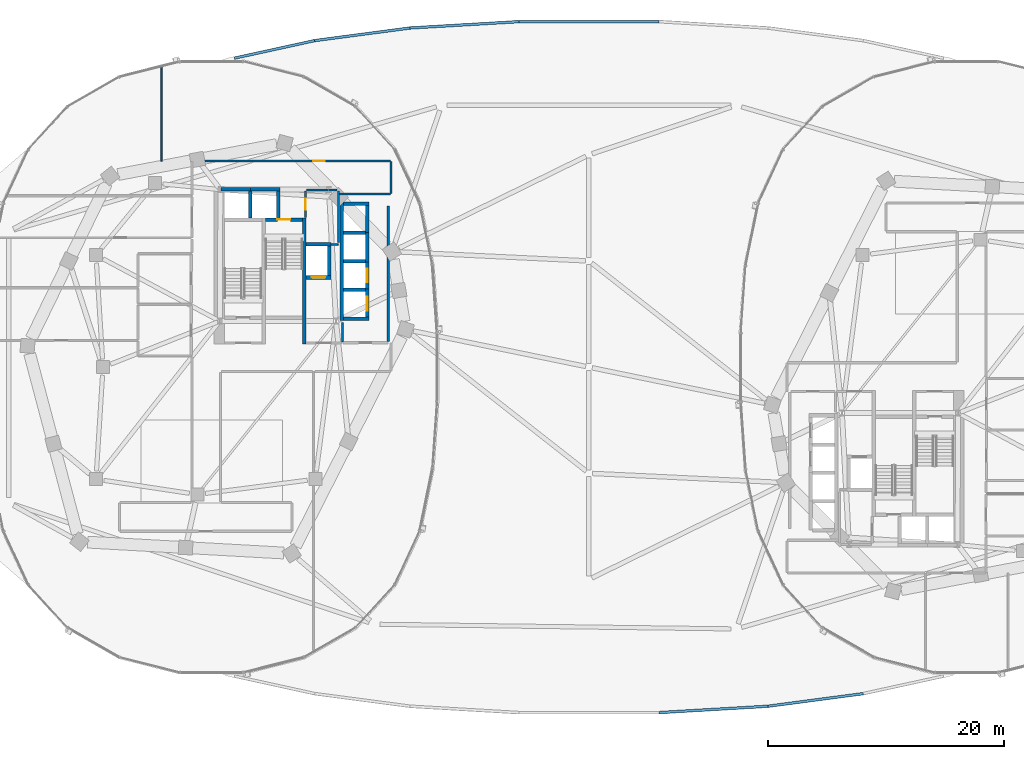
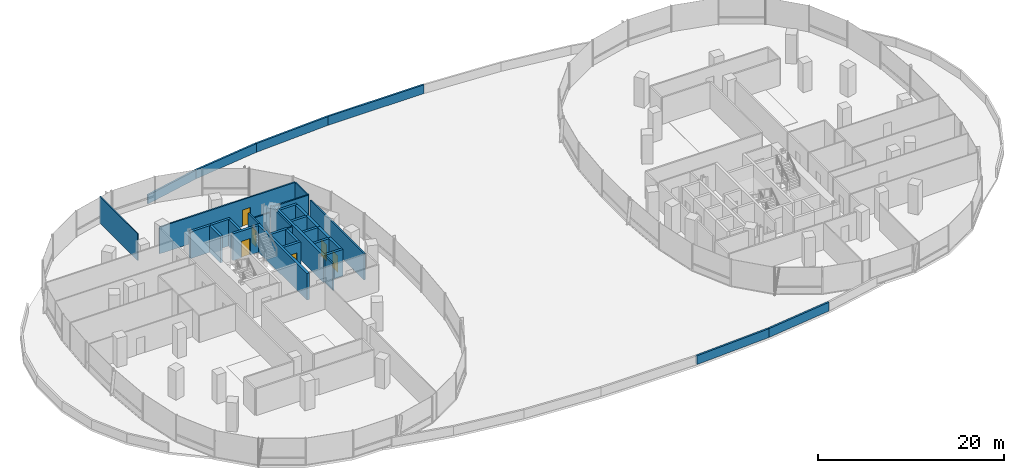
# One storey, part 19 of 28: 35 walls, 6 doors, 6 openings.
"""IFC4 building model written with IfcOpenShell, lengths in metres."""

from ifc_helpers import new_model, si_unit, direction, frame, frame_2d, origin, place, context, subcontext, project, spatial, rectangle, extrude, material, layer, layer_set, type_object, element, fill, save


model = new_model("IFC4")

# Units and contexts
model_context = context("Model", 3, precision=1e-05, world=origin(), true_north=direction((0.0, 1.0)))
body_context = subcontext(model_context, "Body", "Model", "MODEL_VIEW")
ifc_project = project(units=[si_unit("LENGTHUNIT", "METRE"), si_unit("AREAUNIT", "SQUARE_METRE"), si_unit("VOLUMEUNIT", "CUBIC_METRE"), si_unit("PLANEANGLEUNIT", "RADIAN"), si_unit("MASSUNIT", "GRAM", prefix="KILO"), si_unit("THERMODYNAMICTEMPERATUREUNIT", "KELVIN"), si_unit("POWERUNIT", "WATT")], contexts=[model_context])

# Site, building, storey
site_placement = place(None, origin())
site = spatial("IfcSite", under=ifc_project, at=site_placement, CompositionType="ELEMENT")
building_placement = place(site_placement, origin())
building = spatial("IfcBuilding", under=site, at=building_placement, Name="Cundina Bronze Exchange", CompositionType="ELEMENT")
storey_placement = place(building_placement, frame((0.0, 0.0, 24.0)))
storey = spatial("IfcBuildingStorey", under=building, at=storey_placement, Name="L05", CompositionType="ELEMENT", Elevation=24.0)

# Walls
ifc_material_1 = material(Name="Gypsum Fireboard Partition EI120")
ifc_layer_1 = layer(ifc_material_1, 0.179931640625, Name="Gypsum Fireboard Partition EI120")
ifc_layer_set_1 = layer_set([ifc_layer_1], Name="Gypsum Fireboard Partition EI120")
wall_type_1 = type_object("IfcWallType", Name="WL-COR-180", PredefinedType="PARTITIONING", material=ifc_layer_set_1)
wall_1_placement = place(storey_placement, frame((-20.889892578125, 2.14990234375, 0.0), z_axis=(0.0, 0.0, 1.0), x_axis=(0.0, 1.0, 0.0)))
element("IfcWall", 1, at=wall_1_placement, inside=storey, type_object=wall_type_1, Name="L05 W Firefighting Lobby Side Wall", PredefinedType="PARTITIONING", context=body_context, shape_type="SweptSolid", body=[
    extrude(rectangle(XDim=1.650146484375, YDim=0.179931640625, at=frame_2d((0.8251953125, 0.0))), origin(), (0.0, 0.0, 1.0), 3.5),
])
wall_2_placement = place(storey_placement, frame((-17.02001953125, 2.169921875, 0.0), z_axis=(0.0, 0.0, 1.0), x_axis=(0.0, 1.0, 0.0)))
element("IfcWall", 2, at=wall_2_placement, inside=storey, type_object=wall_type_1, Name="L05 Interior Partition 001", PredefinedType="PARTITIONING", context=body_context, shape_type="SweptSolid", body=[
    extrude(rectangle(XDim=11.510009765625, YDim=0.179931640625, at=frame_2d((5.7548828125, 0.0))), origin(), (0.0, 0.0, 1.0), 3.5),
])
wall_3_placement = place(storey_placement, frame((-21.25, 10.570068359375, 0.0), z_axis=(0.0, 0.0, 1.0), x_axis=(0.0, 1.0, 0.0)))
element("IfcWall", 3, at=wall_3_placement, inside=storey, type_object=wall_type_1, Name="L05 Interior Partition 004", PredefinedType="PARTITIONING", context=body_context, shape_type="SweptSolid", body=[
    extrude(rectangle(XDim=4.35986328125, YDim=0.179931640625, at=frame_2d((2.179931640625, 0.0))), origin(), (0.0, 0.0, 1.0), 3.5),
])
wall_4_placement = place(storey_placement, frame((-23.9599609375, 15.030029296875, 0.0), z_axis=(0.0, 0.0, 1.0), x_axis=(1.0, 0.0, 0.0)))
element("IfcWall", 4, at=wall_4_placement, inside=storey, type_object=wall_type_1, Name="L05 Interior Partition 005", PredefinedType="PARTITIONING", context=body_context, shape_type="SweptSolid", body=[
    extrude(rectangle(XDim=2.60986328125, YDim=0.179931640625, at=frame_2d((1.304931640625, 0.0))), origin(), (0.0, 0.0, 1.0), 2.572998046875),
])

# Wall, opening, door
wall_5_placement = place(storey_placement, frame((-24.02001953125, 12.669921875, 0.0), z_axis=(0.0, 0.0, 1.0), x_axis=(0.0, 1.0, 0.0)))
wall_5 = element("IfcWall", 5, at=wall_5_placement, inside=storey, type_object=wall_type_1, Name="L05 Interior Partition 006", PredefinedType="PARTITIONING", context=body_context, shape_type="SweptSolid", body=[
    extrude(rectangle(XDim=2.260009765625, YDim=0.179931640625, at=frame_2d((1.1298828125, 0.0))), origin(), (0.0, 0.0, 1.0), 3.5),
])
opening_1_placement = place(wall_5_placement, frame((0.655029296875, 0.0, 0.0)))
opening_1 = element("IfcOpeningElement", 6, at=opening_1_placement, cuts=wall_5, Name="Opening DW-01", PredefinedType="OPENING", context=body_context, shape_type="SweptSolid", body=[
    extrude(rectangle(XDim=0.949951171875, YDim=2.10009765625, at=frame_2d((0.47509765625, 1.050048828125))), frame((0.0, 0.099853515625, 0.0), z_axis=(0.0, -1.0, 0.0), x_axis=(1.0, 0.0, 0.0)), (0.0, 0.0, 1.0), 0.199951171875),
])
ifc_material_2 = material(Name="Solid Andean Oak Timber Grade A", Category="wood")
door_type_1 = type_object("IfcDoorType", Name="DR-WC-950", OperationType="NOTDEFINED", PredefinedType="DOOR", material=ifc_material_2)
door_1_placement = place(opening_1_placement, origin())
door_1 = element("IfcDoor", 7, at=door_1_placement, inside=storey, type_object=door_type_1, Name="L05 Interior Door 006", OperationType="SINGLE_SWING_LEFT", OverallHeight=2.10009765625, OverallWidth=0.949951171875, PredefinedType="DOOR", context=body_context, shape_type="SweptSolid", body=[
    extrude(rectangle(XDim=0.949951171875, YDim=2.10009765625, at=frame_2d((0.47509765625, 1.050048828125))), frame((0.0, 0.02490234375, 0.0), z_axis=(0.0, -1.0, 0.0), x_axis=(1.0, 0.0, 0.0)), (0.0, 0.0, 1.0), 0.050048828125),
])
fill(opening_1, door_1)

wall_6_placement = place(storey_placement, frame((-16.821533203125, 17.469970703125, 0.0), z_axis=(0.0, 0.0, 1.0), x_axis=(-1.0, 0.0, 0.0)))
wall_6 = element("IfcWall", 8, at=wall_6_placement, inside=storey, type_object=wall_type_1, Name="L05 Interior Partition 028", PredefinedType="PARTITIONING", context=body_context, shape_type="SweptSolid", body=[
    extrude(rectangle(XDim=16.806884765625, YDim=0.179931640625, at=frame_2d((8.4033203125, 0.0))), origin(), (0.0, 0.0, 1.0), 3.5),
])
opening_2_placement = place(wall_6_placement, frame((5.568603515625, 0.0, 0.0)))
opening_2 = element("IfcOpeningElement", 9, at=opening_2_placement, cuts=wall_6, Name="Opening DO-01", PredefinedType="OPENING", context=body_context, shape_type="SweptSolid", body=[
    extrude(rectangle(XDim=1.0, YDim=2.14990234375, at=frame_2d((0.5, 1.074951171875))), frame((0.0, 0.099853515625, 0.0), z_axis=(0.0, -1.0, 0.0), x_axis=(1.0, 0.0, 0.0)), (0.0, 0.0, 1.0), 0.199951171875),
])
door_type_2 = type_object("IfcDoorType", Name="DR-OFF-1000", OperationType="NOTDEFINED", PredefinedType="DOOR", material=ifc_material_2)
door_2_placement = place(opening_2_placement, origin())
door_2 = element("IfcDoor", 10, at=door_2_placement, inside=storey, type_object=door_type_2, Name="L05 Interior Door 028", OperationType="SINGLE_SWING_LEFT", OverallHeight=2.14990234375, OverallWidth=1.0, PredefinedType="DOOR", context=body_context, shape_type="SweptSolid", body=[
    extrude(rectangle(XDim=1.0, YDim=2.14990234375, at=frame_2d((0.5, 1.074951171875))), frame((0.0, 0.02490234375, 0.0), z_axis=(0.0, -1.0, 0.0), x_axis=(1.0, 0.0, 0.0)), (0.0, 0.0, 1.0), 0.050048828125),
])
fill(opening_2, door_2)

# Walls
wall_7_placement = place(storey_placement, frame((-21.178466796875, 14.679931640625, 0.0), z_axis=(0.0, 0.0, 1.0), x_axis=(1.0, 0.0, 0.0)))
element("IfcWall", 11, at=wall_7_placement, inside=storey, type_object=wall_type_1, Name="L05 Interior Partition 030", PredefinedType="PARTITIONING", context=body_context, shape_type="SweptSolid", body=[
    extrude(rectangle(XDim=4.35693359375, YDim=0.179931640625, at=frame_2d((2.178466796875, 0.0))), origin(), (0.0, 0.0, 1.0), 3.5),
])
wall_8_placement = place(storey_placement, frame((-16.780029296875, 14.721435546875, 0.0), z_axis=(0.0, 0.0, 1.0), x_axis=(0.0, 1.0, 0.0)))
element("IfcWall", 12, at=wall_8_placement, inside=storey, type_object=wall_type_1, Name="L05 Interior Partition 032", PredefinedType="PARTITIONING", context=body_context, shape_type="SweptSolid", body=[
    extrude(rectangle(XDim=2.70703125, YDim=0.179931640625, at=frame_2d((1.353515625, 0.0))), origin(), (0.0, 0.0, 1.0), 3.5),
])
ifc_material_3 = material(Name="Gypsum Acoustic Partition EI60")
ifc_layer_2 = layer(ifc_material_3, 0.125, Name="Gypsum Acoustic Partition EI60")
ifc_layer_set_2 = layer_set([ifc_layer_2], Name="Gypsum Acoustic Partition EI60")
wall_type_2 = type_object("IfcWallType", Name="WL-OFF-125", PredefinedType="PARTITIONING", material=ifc_layer_set_2)
wall_9_placement = place(storey_placement, frame((-36.260009765625, 17.469970703125, 0.0), z_axis=(0.0, 0.0, 1.0), x_axis=(0.0, 1.0, 0.0)))
element("IfcWall", 13, at=wall_9_placement, inside=storey, type_object=wall_type_2, Name="L05 Interior Partition 019", PredefinedType="PARTITIONING", context=body_context, shape_type="SweptSolid", body=[
    extrude(rectangle(XDim=8.121337890625, YDim=0.125, at=frame_2d((4.060546875, 0.0))), origin(), (0.0, 0.0, 1.0), 3.5),
])
ifc_material_4 = material(Name="Precast Concrete C45/55", Category="concrete")
ifc_layer_3 = layer(ifc_material_4, 0.219970703125, Name="Precast Concrete C45/55", Category="concrete")
ifc_layer_set_3 = layer_set([ifc_layer_3], Name="Precast Concrete C45/55")
wall_type_3 = type_object("IfcWallType", Name="WL-PAR-220", PredefinedType="PARAPET", material=ifc_layer_set_3)
wall_10_placement = place(storey_placement, frame((-30.059814453125, 26.195068359375, 0.0), z_axis=(0.0, 0.0, 1.0), x_axis=(0.976903447966, 0.213681195598, 0.0)))
element("IfcWall", 14, at=wall_10_placement, inside=storey, type_object=wall_type_3, Name="L05 Central Podium Roof Parapet 1-01", PredefinedType="PARAPET", context=body_context, shape_type="SweptSolid", body=[
    extrude(rectangle(XDim=6.9638671875, YDim=0.219970703125, at=frame_2d((3.48193359375, 0.0))), origin(), (0.0, 0.0, 1.0), 1.14990234375),
])
wall_11_placement = place(storey_placement, frame((-23.2568359375, 27.68310546875, 0.0), z_axis=(0.0, 0.0, 1.0), x_axis=(0.99135963019, 0.131171962055, 0.0)))
element("IfcWall", 15, at=wall_11_placement, inside=storey, type_object=wall_type_3, Name="L05 Central Podium Roof Parapet 1-02", PredefinedType="PARAPET", context=body_context, shape_type="SweptSolid", body=[
    extrude(rectangle(XDim=8.15966796875, YDim=0.219970703125, at=frame_2d((4.079833984375, 0.0))), origin(), (0.0, 0.0, 1.0), 1.14990234375),
])
wall_12_placement = place(storey_placement, frame((-15.167724609375, 28.75341796875, 0.0), z_axis=(0.0, 0.0, 1.0), x_axis=(0.998304091339, 0.058214613415, 0.0)))
element("IfcWall", 16, at=wall_12_placement, inside=storey, type_object=wall_type_3, Name="L05 Central Podium Roof Parapet 1-03", PredefinedType="PARAPET", context=body_context, shape_type="SweptSolid", body=[
    extrude(rectangle(XDim=9.25146484375, YDim=0.219970703125, at=frame_2d((4.625732421875, 0.0))), origin(), (0.0, 0.0, 1.0), 1.14990234375),
])
wall_13_placement = place(storey_placement, frame((-5.931884765625, 29.2919921875, 0.0), z_axis=(0.0, 0.0, 1.0), x_axis=(1.0, 0.0, 0.0)))
element("IfcWall", 17, at=wall_13_placement, inside=storey, type_object=wall_type_3, Name="L05 Central Podium Roof Parapet 1-04", PredefinedType="PARAPET", context=body_context, shape_type="SweptSolid", body=[
    extrude(rectangle(XDim=11.86376953125, YDim=0.219970703125, at=frame_2d((5.931884765625, 0.0))), origin(), (0.0, 0.0, 1.0), 1.14990234375),
])
wall_14_placement = place(storey_placement, frame((23.2568359375, -27.68310546875, 0.0), z_axis=(0.0, 0.0, 1.0), x_axis=(-0.99135963019, -0.131171962055, 0.0)))
element("IfcWall", 18, at=wall_14_placement, inside=storey, type_object=wall_type_3, Name="L05 Central Podium Roof Parapet 1-22", PredefinedType="PARAPET", context=body_context, shape_type="SweptSolid", body=[
    extrude(rectangle(XDim=8.15966796875, YDim=0.219970703125, at=frame_2d((4.079833984375, 0.0))), origin(), (0.0, 0.0, 1.0), 1.14990234375),
])
wall_15_placement = place(storey_placement, frame((15.167724609375, -28.75341796875, 0.0), z_axis=(0.0, 0.0, 1.0), x_axis=(-0.998304091339, -0.058214613415, 0.0)))
element("IfcWall", 19, at=wall_15_placement, inside=storey, type_object=wall_type_3, Name="L05 Central Podium Roof Parapet 1-23", PredefinedType="PARAPET", context=body_context, shape_type="SweptSolid", body=[
    extrude(rectangle(XDim=9.25146484375, YDim=0.219970703125, at=frame_2d((4.625732421875, 0.0))), origin(), (0.0, 0.0, 1.0), 1.14990234375),
])
ifc_material_5 = material(Name="Concrete C50/60", Category="concrete")
ifc_layer_4 = layer(ifc_material_5, 0.300048828125, Name="Concrete C50/60", Category="concrete")
ifc_layer_set_4 = layer_set([ifc_layer_4], Name="Concrete C50/60")
wall_type_4 = type_object("IfcWallType", Name="WL-SHFT-300", PredefinedType="SHEAR", material=ifc_layer_set_4)
wall_16_placement = place(storey_placement, frame((-24.1298828125, 1.969970703125, 0.0), z_axis=(0.0, 0.0, 1.0), x_axis=(0.0, 1.0, 0.0)))
element("IfcWall", 20, at=wall_16_placement, inside=storey, type_object=wall_type_4, Name="L05 W Stair 2 East Shear Wall", PredefinedType="SHEAR", context=body_context, shape_type="SweptSolid", body=[
    extrude(rectangle(XDim=10.679931640625, YDim=0.300048828125, at=frame_2d((5.33984375, 0.0))), origin(), (0.0, 0.0, 1.0), 3.5),
])

# Wall, opening, door
wall_17_placement = place(storey_placement, frame((-27.43994140625, 12.5, 0.0), z_axis=(0.0, 0.0, 1.0), x_axis=(1.0, 0.0, 0.0)))
wall_17 = element("IfcWall", 21, at=wall_17_placement, inside=storey, type_object=wall_type_4, Name="L05 Stair W2 Landing Wall", PredefinedType="SHEAR", context=body_context, shape_type="SweptSolid", body=[
    extrude(rectangle(XDim=3.159912109375, YDim=0.300048828125, at=frame_2d((1.580078125, 0.0))), origin(), (0.0, 0.0, 1.0), 3.5),
])
opening_3_placement = place(wall_17_placement, frame((1.030029296875, 0.0, 0.0)))
opening_3 = element("IfcOpeningElement", 22, at=opening_3_placement, cuts=wall_17, Name="Opening DS-01", PredefinedType="OPENING", context=body_context, shape_type="SweptSolid", body=[
    extrude(rectangle(XDim=1.10009765625, YDim=2.14990234375, at=frame_2d((0.550048828125, 1.074951171875))), frame((0.0, 0.159912109375, 0.0), z_axis=(0.0, -1.0, 0.0), x_axis=(1.0, 0.0, 0.0)), (0.0, 0.0, 1.0), 0.320068359375),
])
ifc_material_6 = material(Name="Steel ASTM A36 Painted", Category="steel")
door_type_3 = type_object("IfcDoorType", Name="DR-STR-1100", OperationType="NOTDEFINED", PredefinedType="DOOR", material=ifc_material_6)
door_3_placement = place(opening_3_placement, origin())
door_3 = element("IfcDoor", 23, at=door_3_placement, inside=storey, type_object=door_type_3, Name="L05 Smokeproof Stair W2 Door", OperationType="SINGLE_SWING_LEFT", OverallHeight=2.14990234375, OverallWidth=1.10009765625, PredefinedType="DOOR", context=body_context, shape_type="SweptSolid", body=[
    extrude(rectangle(XDim=1.10009765625, YDim=2.14990234375, at=frame_2d((0.550048828125, 1.074951171875))), frame((0.0, 0.02490234375, 0.0), z_axis=(0.0, -1.0, 0.0), x_axis=(1.0, 0.0, 0.0)), (0.0, 0.0, 1.0), 0.050048828125),
])
fill(opening_3, door_3)

wall_18_placement = place(storey_placement, frame((-23.97998046875, 7.60009765625, 0.0), z_axis=(0.0, 0.0, 1.0), x_axis=(1.0, 0.0, 0.0)))
wall_18 = element("IfcWall", 24, at=wall_18_placement, inside=storey, type_object=wall_type_4, Name="L05 FFL-W Hoistway Front Wall", PredefinedType="SHEAR", context=body_context, shape_type="SweptSolid", body=[
    extrude(rectangle(XDim=2.10009765625, YDim=0.300048828125, at=frame_2d((1.050048828125, 0.0))), origin(), (0.0, 0.0, 1.0), 3.5),
])
opening_4_placement = place(wall_18_placement, frame((0.47509765625, 0.0, 0.0)))
opening_4 = element("IfcOpeningElement", 25, at=opening_4_placement, cuts=wall_18, Name="Opening LD-01", PredefinedType="OPENING", context=body_context, shape_type="SweptSolid", body=[
    extrude(rectangle(XDim=1.14990234375, YDim=2.199951171875, at=frame_2d((0.574951171875, 1.10009765625))), frame((0.0, 0.159912109375, 0.0), z_axis=(0.0, -1.0, 0.0), x_axis=(1.0, 0.0, 0.0)), (0.0, 0.0, 1.0), 0.320068359375),
])
door_type_4 = type_object("IfcDoorType", Name="DR-LND-1150", OperationType="NOTDEFINED", PredefinedType="TRAPDOOR", material=ifc_material_6)
door_4_placement = place(opening_4_placement, origin())
door_4 = element("IfcDoor", 26, at=door_4_placement, inside=storey, type_object=door_type_4, Name="L05 FFL-W Sliding Landing Door", OperationType="SLIDING_TO_LEFT", OverallHeight=2.199951171875, OverallWidth=1.14990234375, PredefinedType="TRAPDOOR", context=body_context, shape_type="SweptSolid", body=[
    extrude(rectangle(XDim=1.14990234375, YDim=2.199951171875, at=frame_2d((0.574951171875, 1.10009765625))), frame((0.0, 0.02490234375, 0.0), z_axis=(0.0, -1.0, 0.0), x_axis=(1.0, 0.0, 0.0)), (0.0, 0.0, 1.0), 0.050048828125),
])
fill(opening_4, door_4)

# Walls
wall_19_placement = place(storey_placement, frame((-23.97998046875, 10.39990234375, 0.0), z_axis=(0.0, 0.0, 1.0), x_axis=(1.0, 0.0, 0.0)))
element("IfcWall", 27, at=wall_19_placement, inside=storey, type_object=wall_type_4, Name="L05 FFL-W Hoistway Back Wall", PredefinedType="SHEAR", context=body_context, shape_type="SweptSolid", body=[
    extrude(rectangle(XDim=2.10009765625, YDim=0.300048828125, at=frame_2d((1.050048828125, 0.0))), origin(), (0.0, 0.0, 1.0), 3.5),
])
for number, where, z_axis, x_axis, name in (
    (28, (-22.030029296875, 7.75, 0.0), (0.0, 0.0, 1.0), (0.0, 1.0, 0.0), "L05 FFL-W Hoistway Side Wall"),
    (29, (-31.199951171875, 15.10009765625, 0.0), (0.0, 0.0, 1.0), (1.0, 0.0, 0.0), "L05 PH-W1 Hoistway Front Wall"),
):
    element("IfcWall", number, at=place(storey_placement, frame(where, z_axis=z_axis, x_axis=x_axis)), inside=storey, type_object=wall_type_4, Name=name, PredefinedType="SHEAR", context=body_context, shape_type="SweptSolid", body=[
        extrude(rectangle(XDim=2.5, YDim=0.300048828125, at=frame_2d((1.25, 0.0))), origin(), (0.0, 0.0, 1.0), 3.5),
    ])
wall_20_placement = place(storey_placement, frame((-28.699951171875, 12.64990234375, 0.0), z_axis=(0.0, 0.0, 1.0), x_axis=(0.0, 1.0, 0.0)))
element("IfcWall", 30, at=wall_20_placement, inside=storey, type_object=wall_type_4, Name="L05 PH-W1 Hoistway Divider Wall", PredefinedType="SHEAR", context=body_context, shape_type="SweptSolid", body=[
    extrude(rectangle(XDim=2.300048828125, YDim=0.300048828125, at=frame_2d((1.14990234375, 0.0))), origin(), (0.0, 0.0, 1.0), 3.5),
])
wall_21_placement = place(storey_placement, frame((-28.699951171875, 15.10009765625, 0.0), z_axis=(0.0, 0.0, 1.0), x_axis=(1.0, 0.0, 0.0)))
element("IfcWall", 31, at=wall_21_placement, inside=storey, type_object=wall_type_4, Name="L05 PH-W2 Hoistway Front Wall", PredefinedType="SHEAR", context=body_context, shape_type="SweptSolid", body=[
    extrude(rectangle(XDim=2.5, YDim=0.300048828125, at=frame_2d((1.25, 0.0))), origin(), (0.0, 0.0, 1.0), 3.5),
])
wall_22_placement = place(storey_placement, frame((-26.35009765625, 12.64990234375, 0.0), z_axis=(0.0, 0.0, 1.0), x_axis=(0.0, 1.0, 0.0)))
element("IfcWall", 32, at=wall_22_placement, inside=storey, type_object=wall_type_4, Name="L05 PH-W2 Hoistway Divider Wall", PredefinedType="SHEAR", context=body_context, shape_type="SweptSolid", body=[
    extrude(rectangle(XDim=2.300048828125, YDim=0.300048828125, at=frame_2d((1.14990234375, 0.0))), origin(), (0.0, 0.0, 1.0), 3.5),
])
wall_23_placement = place(storey_placement, frame((-20.949951171875, 3.949951171875, 0.0), z_axis=(0.0, 0.0, 1.0), x_axis=(0.0, 1.0, 0.0)))
element("IfcWall", 33, at=wall_23_placement, inside=storey, type_object=wall_type_4, Name="L05 W Passenger Bank Hoistway Back Wall", PredefinedType="SHEAR", context=body_context, shape_type="SweptSolid", body=[
    extrude(rectangle(XDim=10.050048828125, YDim=0.300048828125, at=frame_2d((5.02490234375, 0.0))), origin(), (0.0, 0.0, 1.0), 3.5),
])
for number, where, z_axis, x_axis, name in (
    (34, (-20.800048828125, 4.10009765625, 0.0), (0.0, 0.0, 1.0), (1.0, 0.0, 0.0), "L05 W Passenger Bank South Cap Wall"),
    (35, (-20.800048828125, 13.85009765625, 0.0), (0.0, 0.0, 1.0), (1.0, 0.0, 0.0), "L05 W Passenger Bank North Cap Wall"),
):
    element("IfcWall", number, at=place(storey_placement, frame(where, z_axis=z_axis, x_axis=x_axis)), inside=storey, type_object=wall_type_4, Name=name, PredefinedType="SHEAR", context=body_context, shape_type="SweptSolid", body=[
        extrude(rectangle(XDim=2.150146484375, YDim=0.300048828125, at=frame_2d((1.0751953125, 0.0))), origin(), (0.0, 0.0, 1.0), 3.5),
    ])
for number, where, z_axis, x_axis, name in (
    (36, (-20.800048828125, 6.574951171875, 0.0), (0.0, 0.0, 1.0), (1.0, 0.0, 0.0), "L05 W Passenger Hoistway Divider 1"),
    (37, (-20.800048828125, 8.97509765625, 0.0), (0.0, 0.0, 1.0), (1.0, 0.0, 0.0), "L05 W Passenger Hoistway Divider 2"),
    (38, (-20.800048828125, 11.375, 0.0), (0.0, 0.0, 1.0), (1.0, 0.0, 0.0), "L05 W Passenger Hoistway Divider 3"),
):
    element("IfcWall", number, at=place(storey_placement, frame(where, z_axis=z_axis, x_axis=x_axis)), inside=storey, type_object=wall_type_4, Name=name, PredefinedType="SHEAR", context=body_context, shape_type="SweptSolid", body=[
        extrude(rectangle(XDim=1.85009765625, YDim=0.300048828125, at=frame_2d((0.925048828125, 0.0))), origin(), (0.0, 0.0, 1.0), 3.5),
    ])

# Wall, opening, door
wall_24_placement = place(storey_placement, frame((-18.800048828125, 4.1298828125, 0.0), z_axis=(0.0, 0.0, 1.0), x_axis=(0.0, 1.0, 0.0)))
wall_24 = element("IfcWall", 39, at=wall_24_placement, inside=storey, type_object=wall_type_4, Name="L05 PL-W2 Hoistway Front Wall", PredefinedType="SHEAR", context=body_context, shape_type="SweptSolid", body=[
    extrude(rectangle(XDim=2.490234375, YDim=0.300048828125, at=frame_2d((1.2451171875, 0.0))), origin(), (0.0, 0.0, 1.0), 3.5),
])
opening_5_placement = place(wall_24_placement, frame((0.669921875, 0.0, 0.0)))
opening_5 = element("IfcOpeningElement", 40, at=opening_5_placement, cuts=wall_24, Name="Opening LD-01", PredefinedType="OPENING", context=body_context, shape_type="SweptSolid", body=[
    extrude(rectangle(XDim=1.14990234375, YDim=2.199951171875, at=frame_2d((0.574951171875, 1.10009765625))), frame((0.0, 0.159912109375, 0.0), z_axis=(0.0, -1.0, 0.0), x_axis=(1.0, 0.0, 0.0)), (0.0, 0.0, 1.0), 0.320068359375),
])
door_5_placement = place(opening_5_placement, origin())
door_5 = element("IfcDoor", 41, at=door_5_placement, inside=storey, type_object=door_type_4, Name="L05 PL-W2 Sliding Landing Door", OperationType="SLIDING_TO_LEFT", OverallHeight=2.199951171875, OverallWidth=1.14990234375, PredefinedType="TRAPDOOR", context=body_context, shape_type="SweptSolid", body=[
    extrude(rectangle(XDim=1.14990234375, YDim=2.199951171875, at=frame_2d((0.574951171875, 1.10009765625))), frame((0.0, 0.02490234375, 0.0), z_axis=(0.0, -1.0, 0.0), x_axis=(1.0, 0.0, 0.0)), (0.0, 0.0, 1.0), 0.050048828125),
])
fill(opening_5, door_5)

wall_25_placement = place(storey_placement, frame((-18.800048828125, 6.530029296875, 0.0), z_axis=(0.0, 0.0, 1.0), x_axis=(0.0, 1.0, 0.0)))
wall_25 = element("IfcWall", 42, at=wall_25_placement, inside=storey, type_object=wall_type_4, Name="L05 PL-W1 Hoistway Front Wall", PredefinedType="SHEAR", context=body_context, shape_type="SweptSolid", body=[
    extrude(rectangle(XDim=2.489990234375, YDim=0.300048828125, at=frame_2d((1.2451171875, 0.0))), origin(), (0.0, 0.0, 1.0), 3.5),
])
opening_6_placement = place(wall_25_placement, frame((0.669921875, 0.0, 0.0)))
opening_6 = element("IfcOpeningElement", 43, at=opening_6_placement, cuts=wall_25, Name="Opening LD-01", PredefinedType="OPENING", context=body_context, shape_type="SweptSolid", body=[
    extrude(rectangle(XDim=1.14990234375, YDim=2.199951171875, at=frame_2d((0.574951171875, 1.10009765625))), frame((0.0, 0.159912109375, 0.0), z_axis=(0.0, -1.0, 0.0), x_axis=(1.0, 0.0, 0.0)), (0.0, 0.0, 1.0), 0.320068359375),
])
door_6_placement = place(opening_6_placement, origin())
door_6 = element("IfcDoor", 44, at=door_6_placement, inside=storey, type_object=door_type_4, Name="L05 PL-W1 Sliding Landing Door", OperationType="SLIDING_TO_LEFT", OverallHeight=2.199951171875, OverallWidth=1.14990234375, PredefinedType="TRAPDOOR", context=body_context, shape_type="SweptSolid", body=[
    extrude(rectangle(XDim=1.14990234375, YDim=2.199951171875, at=frame_2d((0.574951171875, 1.10009765625))), frame((0.0, 0.02490234375, 0.0), z_axis=(0.0, -1.0, 0.0), x_axis=(1.0, 0.0, 0.0)), (0.0, 0.0, 1.0), 0.050048828125),
])
fill(opening_6, door_6)

# Walls
for number, where, z_axis, x_axis, name in (
    (45, (-18.800048828125, 8.929931640625, 0.0), (0.0, 0.0, 1.0), (0.0, 1.0, 0.0), "L05 PM-W2 Hoistway Front Wall"),
    (46, (-18.800048828125, 11.330078125, 0.0), (0.0, 0.0, 1.0), (0.0, 1.0, 0.0), "L05 PM-W1 Hoistway Front Wall"),
):
    element("IfcWall", number, at=place(storey_placement, frame(where, z_axis=z_axis, x_axis=x_axis)), inside=storey, type_object=wall_type_4, Name=name, PredefinedType="SHEAR", context=body_context, shape_type="SweptSolid", body=[
        extrude(rectangle(XDim=2.489990234375, YDim=0.300048828125, at=frame_2d((1.2451171875, 0.0))), origin(), (0.0, 0.0, 1.0), 3.5),
    ])
ifc_material_7 = material(Name="Moisture-Resistant Masonry Block Grade M15", Category="masonry")
ifc_layer_5 = layer(ifc_material_7, 0.139892578125, Name="Moisture-Resistant Masonry Block Grade M15", Category="masonry")
ifc_layer_set_5 = layer_set([ifc_layer_5], Name="Moisture-Resistant Masonry Block Grade M15")
wall_type_5 = type_object("IfcWallType", Name="WL-WET-140", PredefinedType="PARTITIONING", material=ifc_layer_set_5)
wall_26_placement = place(storey_placement, frame((-21.860107421875, 10.39990234375, 0.0), z_axis=(0.0, 0.0, 1.0), x_axis=(1.0, 0.0, 0.0)))
element("IfcWall", 47, at=wall_26_placement, inside=storey, type_object=wall_type_5, Name="L05 Interior Partition 003", PredefinedType="PARTITIONING", context=body_context, shape_type="SweptSolid", body=[
    extrude(rectangle(XDim=0.590087890625, YDim=0.139892578125, at=frame_2d((0.294921875, 0.0))), origin(), (0.0, 0.0, 1.0), 3.5),
])

save(model, "model.ifc")
